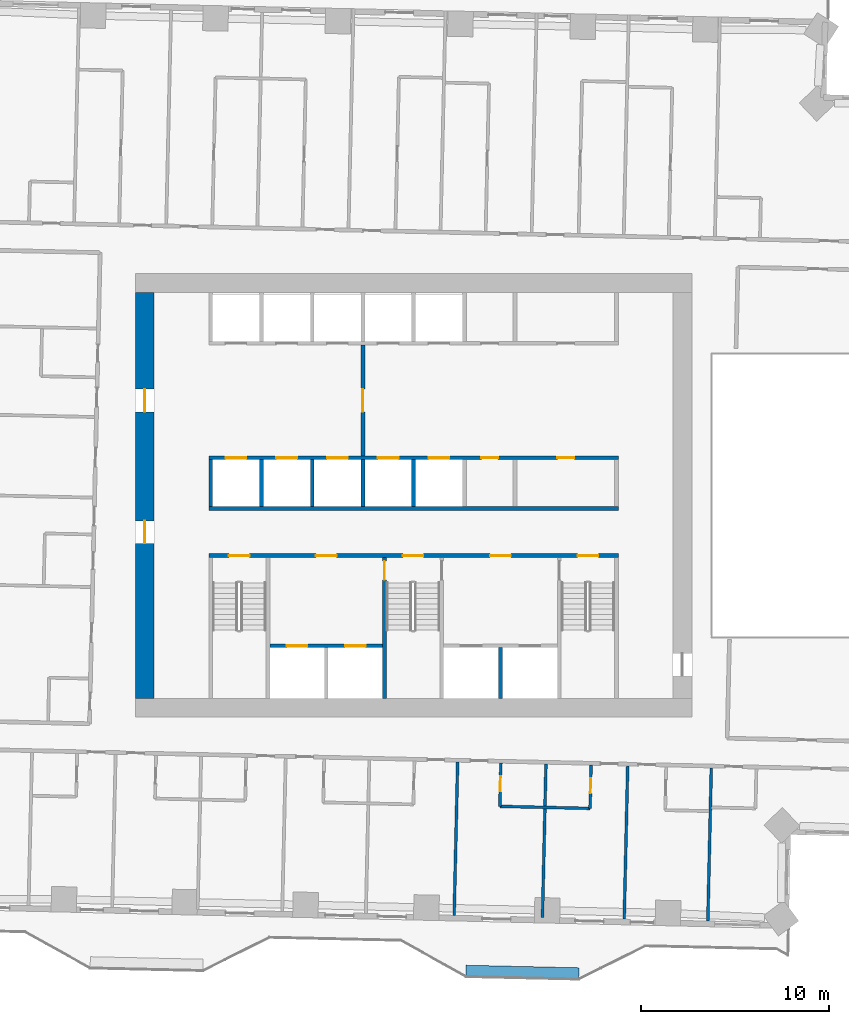
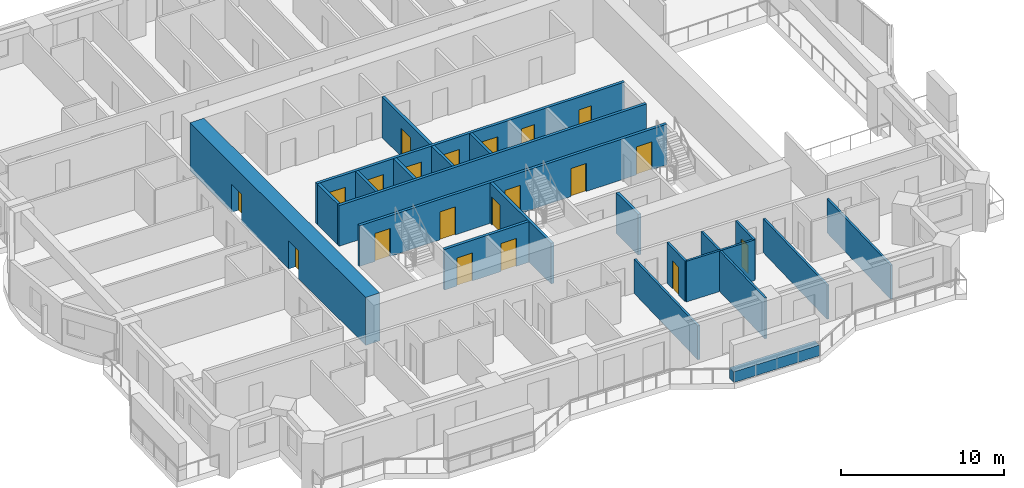
# One storey, part 8 of 16: 21 walls, 20 doors, 20 openings.
"""IFC4 building model written with IfcOpenShell, lengths in metres."""

from ifc_helpers import new_model, si_unit, direction, frame, frame_2d, origin, place, context, subcontext, project, spatial, rectangle, extrude, material, layer, layer_set, type_object, element, fill, save


model = new_model("IFC4")

# Units and contexts
model_context = context("Model", 3, precision=1e-05, world=origin(), true_north=direction((0.0, 1.0)))
body_context = subcontext(model_context, "Body", "Model", "MODEL_VIEW")
ifc_project = project(units=[si_unit("LENGTHUNIT", "METRE"), si_unit("AREAUNIT", "SQUARE_METRE"), si_unit("VOLUMEUNIT", "CUBIC_METRE"), si_unit("PLANEANGLEUNIT", "RADIAN"), si_unit("MASSUNIT", "GRAM", prefix="KILO")], contexts=[model_context])

# Site, building, storey
site_placement = place(None, origin())
site = spatial("IfcSite", under=ifc_project, at=site_placement, CompositionType="ELEMENT")
building_placement = place(site_placement, origin())
building = spatial("IfcBuilding", under=site, at=building_placement, Name="Mangrove Gate Tower", CompositionType="ELEMENT")
storey_placement = place(building_placement, frame((0.0, 0.0, 112.699951171875)))
storey = spatial("IfcBuildingStorey", under=building, at=storey_placement, Name="L28", CompositionType="ELEMENT", Elevation=112.699951171875)

# Wall, opening, door
ifc_material_1 = material(Name="Concrete C32/40", Category="concrete")
ifc_layer_1 = layer(ifc_material_1, 0.199951171875)
ifc_layer_set_1 = layer_set([ifc_layer_1], Name="Core lobby wall 200 C32/40")
wall_type_1 = type_object("IfcWallType", Name="Core lobby wall 200 C32/40", PredefinedType="STANDARD", material=ifc_layer_set_1)
wall_1_placement = place(storey_placement, frame((-2.699951171875, 2.10009765625, 0.0), z_axis=(0.0, 0.0, 1.0), x_axis=(0.0, 1.0, 0.0)))
wall_1 = element("IfcWall", 1, at=wall_1_placement, inside=storey, type_object=wall_type_1, Name="WALL-L28-CORE-35", PredefinedType="STANDARD", context=body_context, shape_type="SweptSolid", body=[
    extrude(rectangle(XDim=5.89990234375, YDim=0.199951171875, at=frame_2d((2.949951171875, 0.0))), origin(), (0.0, 0.0, 1.0), 3.050048828125),
])
opening_1_placement = place(wall_1_placement, frame((2.35009765625, 0.0, 0.0)))
opening_1 = element("IfcOpeningElement", 2, at=opening_1_placement, cuts=wall_1, Name="Opening FL12", PredefinedType="OPENING", context=body_context, shape_type="SweptSolid", body=[
    extrude(rectangle(XDim=1.199951171875, YDim=2.10009765625, at=frame_2d((0.60009765625, 1.050048828125))), frame((0.0, 0.10986328125, 0.0), z_axis=(0.0, -1.0, 0.0), x_axis=(1.0, 0.0, 0.0)), (0.0, 0.0, 1.0), 0.219970703125),
])
ifc_material_2 = material(Name="Fire-rated steel door set", Category="steel")
door_type_1 = type_object("IfcDoorType", Name="Lobby door FD60 1200x2100", OperationType="SINGLE_SWING_LEFT", PredefinedType="DOOR", material=ifc_material_2)
door_1_placement = place(opening_1_placement, origin())
door_1 = element("IfcDoor", 3, at=door_1_placement, inside=storey, type_object=door_type_1, Name="Lobby door lift lobby partition", OperationType="SINGLE_SWING_LEFT", OverallHeight=2.10009765625, OverallWidth=1.199951171875, PredefinedType="DOOR", context=body_context, shape_type="SweptSolid", body=[
    extrude(rectangle(XDim=1.199951171875, YDim=2.10009765625, at=frame_2d((0.60009765625, 1.050048828125))), frame((0.0, 0.02490234375, 0.0), z_axis=(0.0, -1.0, 0.0), x_axis=(1.0, 0.0, 0.0)), (0.0, 0.0, 1.0), 0.050048828125),
])
fill(opening_1, door_1)

# Wall
ifc_material_3 = material(Name="Concrete C70/85", Category="concrete")
ifc_layer_2 = layer(ifc_material_3, 0.199951171875)
ifc_layer_set_2 = layer_set([ifc_layer_2], Name="Core shaft wall 200 C70/85")
wall_type_2 = type_object("IfcWallType", Name="Core shaft wall 200 C70/85", PredefinedType="SHEAR", material=ifc_layer_set_2)
wall_2_placement = place(storey_placement, frame((-10.89990234375, -0.699951171875, 0.0), z_axis=(0.0, 0.0, 1.0), x_axis=(1.0, 0.0, 0.0)))
element("IfcWall", 4, at=wall_2_placement, inside=storey, type_object=wall_type_2, Name="WALL-L28-CORE-6", PredefinedType="SHEAR", context=body_context, shape_type="SweptSolid", body=[
    extrude(rectangle(XDim=21.7998046875, YDim=0.199951171875, at=frame_2d((10.89990234375, 0.0))), origin(), (0.0, 0.0, 1.0), 3.050048828125),
])

# Wall, openings, doors
wall_3_placement = place(storey_placement, frame((-10.89990234375, 2.0, 0.0), z_axis=(0.0, 0.0, 1.0), x_axis=(1.0, 0.0, 0.0)))
wall_3 = element("IfcWall", 5, at=wall_3_placement, inside=storey, type_object=wall_type_2, Name="WALL-L28-CORE-7", PredefinedType="SHEAR", context=body_context, shape_type="SweptSolid", body=[
    extrude(rectangle(XDim=21.7998046875, YDim=0.199951171875, at=frame_2d((10.89990234375, 0.0))), origin(), (0.0, 0.0, 1.0), 3.050048828125),
])
opening_2_placement = place(wall_3_placement, frame((0.89990234375, 0.0, 0.0)))
opening_2 = element("IfcOpeningElement", 6, at=opening_2_placement, cuts=wall_3, Name="Opening LD", PredefinedType="OPENING", context=body_context, shape_type="SweptSolid", body=[
    extrude(rectangle(XDim=1.10009765625, YDim=2.10009765625, at=frame_2d((0.550048828125, 1.050048828125))), frame((0.0, 0.10986328125, 0.0), z_axis=(0.0, -1.0, 0.0), x_axis=(1.0, 0.0, 0.0)), (0.0, 0.0, 1.0), 0.219970703125),
])
opening_3_placement = place(wall_3_placement, frame((3.60009765625, 0.0, 0.0)))
opening_3 = element("IfcOpeningElement", 7, at=opening_3_placement, cuts=wall_3, Name="Opening LD", PredefinedType="OPENING", context=body_context, shape_type="SweptSolid", body=[
    extrude(rectangle(XDim=1.10009765625, YDim=2.10009765625, at=frame_2d((0.550048828125, 1.050048828125))), frame((0.0, 0.10986328125, 0.0), z_axis=(0.0, -1.0, 0.0), x_axis=(1.0, 0.0, 0.0)), (0.0, 0.0, 1.0), 0.219970703125),
])
opening_4_placement = place(wall_3_placement, frame((6.300048828125, 0.0, 0.0)))
opening_4 = element("IfcOpeningElement", 8, at=opening_4_placement, cuts=wall_3, Name="Opening LD", PredefinedType="OPENING", context=body_context, shape_type="SweptSolid", body=[
    extrude(rectangle(XDim=1.10009765625, YDim=2.10009765625, at=frame_2d((0.550048828125, 1.050048828125))), frame((0.0, 0.10986328125, 0.0), z_axis=(0.0, -1.0, 0.0), x_axis=(1.0, 0.0, 0.0)), (0.0, 0.0, 1.0), 0.219970703125),
])
opening_5_placement = place(wall_3_placement, frame((9.0, 0.0, 0.0)))
opening_5 = element("IfcOpeningElement", 9, at=opening_5_placement, cuts=wall_3, Name="Opening LD", PredefinedType="OPENING", context=body_context, shape_type="SweptSolid", body=[
    extrude(rectangle(XDim=1.10009765625, YDim=2.10009765625, at=frame_2d((0.550048828125, 1.050048828125))), frame((0.0, 0.10986328125, 0.0), z_axis=(0.0, -1.0, 0.0), x_axis=(1.0, 0.0, 0.0)), (0.0, 0.0, 1.0), 0.219970703125),
])
opening_6_placement = place(wall_3_placement, frame((11.699951171875, 0.0, 0.0)))
opening_6 = element("IfcOpeningElement", 10, at=opening_6_placement, cuts=wall_3, Name="Opening LD", PredefinedType="OPENING", context=body_context, shape_type="SweptSolid", body=[
    extrude(rectangle(XDim=1.10009765625, YDim=2.10009765625, at=frame_2d((0.550048828125, 1.050048828125))), frame((0.0, 0.10986328125, 0.0), z_axis=(0.0, -1.0, 0.0), x_axis=(1.0, 0.0, 0.0)), (0.0, 0.0, 1.0), 0.219970703125),
])
opening_7_placement = place(wall_3_placement, frame((14.5, 0.0, 0.0)))
opening_7 = element("IfcOpeningElement", 11, at=opening_7_placement, cuts=wall_3, Name="Opening RD", PredefinedType="OPENING", context=body_context, shape_type="SweptSolid", body=[
    extrude(rectangle(XDim=0.89990234375, YDim=2.10009765625, at=frame_2d((0.449951171875, 1.050048828125))), frame((0.0, 0.10986328125, 0.0), z_axis=(0.0, -1.0, 0.0), x_axis=(1.0, 0.0, 0.0)), (0.0, 0.0, 1.0), 0.219970703125),
])
opening_8_placement = place(wall_3_placement, frame((18.550048828125, 0.0, 0.0)))
opening_8 = element("IfcOpeningElement", 12, at=opening_8_placement, cuts=wall_3, Name="Opening KD", PredefinedType="OPENING", context=body_context, shape_type="SweptSolid", body=[
    extrude(rectangle(XDim=0.89990234375, YDim=2.10009765625, at=frame_2d((0.449951171875, 1.050048828125))), frame((0.0, 0.10986328125, 0.0), z_axis=(0.0, -1.0, 0.0), x_axis=(1.0, 0.0, 0.0)), (0.0, 0.0, 1.0), 0.219970703125),
])
ifc_material_4 = material(Name="Fire-rated steel door set", Category="steel")
door_type_2 = type_object("IfcDoorType", Name="Core room door FD30S 900x2100", OperationType="SINGLE_SWING_RIGHT", PredefinedType="DOOR", material=ifc_material_4)
door_2_placement = place(opening_8_placement, origin())
door_2 = element("IfcDoor", 13, at=door_2_placement, inside=storey, type_object=door_type_2, Name="Core room door Core WC", OperationType="SINGLE_SWING_RIGHT", OverallHeight=2.10009765625, OverallWidth=0.89990234375, PredefinedType="DOOR", context=body_context, shape_type="SweptSolid", body=[
    extrude(rectangle(XDim=0.89990234375, YDim=2.10009765625, at=frame_2d((0.449951171875, 1.050048828125))), frame((0.0, 0.02490234375, 0.0), z_axis=(0.0, -1.0, 0.0), x_axis=(1.0, 0.0, 0.0)), (0.0, 0.0, 1.0), 0.050048828125),
])
fill(opening_8, door_2)
ifc_material_5 = material(Name="Stainless steel 316", Category="steel")
door_type_3 = type_object("IfcDoorType", Name="Lift landing door 1100x2100", OperationType="SLIDING_TO_LEFT", PredefinedType="DOOR", material=ifc_material_5)
door_3_placement = place(opening_2_placement, origin())
door_3 = element("IfcDoor", 14, at=door_3_placement, inside=storey, type_object=door_type_3, Name="Landing door LD P01", OperationType="SLIDING_TO_LEFT", OverallHeight=2.10009765625, OverallWidth=1.10009765625, PredefinedType="DOOR", context=body_context, shape_type="SweptSolid", body=[
    extrude(rectangle(XDim=1.10009765625, YDim=2.10009765625, at=frame_2d((0.550048828125, 1.050048828125))), frame((0.0, 0.02490234375, 0.0), z_axis=(0.0, -1.0, 0.0), x_axis=(1.0, 0.0, 0.0)), (0.0, 0.0, 1.0), 0.050048828125),
])
fill(opening_2, door_3)
door_4_placement = place(opening_3_placement, origin())
door_4 = element("IfcDoor", 15, at=door_4_placement, inside=storey, type_object=door_type_3, Name="Landing door LD P02", OperationType="SLIDING_TO_LEFT", OverallHeight=2.10009765625, OverallWidth=1.10009765625, PredefinedType="DOOR", context=body_context, shape_type="SweptSolid", body=[
    extrude(rectangle(XDim=1.10009765625, YDim=2.10009765625, at=frame_2d((0.550048828125, 1.050048828125))), frame((0.0, 0.02490234375, 0.0), z_axis=(0.0, -1.0, 0.0), x_axis=(1.0, 0.0, 0.0)), (0.0, 0.0, 1.0), 0.050048828125),
])
fill(opening_3, door_4)
door_5_placement = place(opening_4_placement, origin())
door_5 = element("IfcDoor", 16, at=door_5_placement, inside=storey, type_object=door_type_3, Name="Landing door LD P03", OperationType="SLIDING_TO_LEFT", OverallHeight=2.10009765625, OverallWidth=1.10009765625, PredefinedType="DOOR", context=body_context, shape_type="SweptSolid", body=[
    extrude(rectangle(XDim=1.10009765625, YDim=2.10009765625, at=frame_2d((0.550048828125, 1.050048828125))), frame((0.0, 0.02490234375, 0.0), z_axis=(0.0, -1.0, 0.0), x_axis=(1.0, 0.0, 0.0)), (0.0, 0.0, 1.0), 0.050048828125),
])
fill(opening_4, door_5)
door_6_placement = place(opening_5_placement, origin())
door_6 = element("IfcDoor", 17, at=door_6_placement, inside=storey, type_object=door_type_3, Name="Landing door LD P04", OperationType="SLIDING_TO_LEFT", OverallHeight=2.10009765625, OverallWidth=1.10009765625, PredefinedType="DOOR", context=body_context, shape_type="SweptSolid", body=[
    extrude(rectangle(XDim=1.10009765625, YDim=2.10009765625, at=frame_2d((0.550048828125, 1.050048828125))), frame((0.0, 0.02490234375, 0.0), z_axis=(0.0, -1.0, 0.0), x_axis=(1.0, 0.0, 0.0)), (0.0, 0.0, 1.0), 0.050048828125),
])
fill(opening_5, door_6)
door_7_placement = place(opening_6_placement, origin())
door_7 = element("IfcDoor", 18, at=door_7_placement, inside=storey, type_object=door_type_3, Name="Landing door LD P05", OperationType="SLIDING_TO_LEFT", OverallHeight=2.10009765625, OverallWidth=1.10009765625, PredefinedType="DOOR", context=body_context, shape_type="SweptSolid", body=[
    extrude(rectangle(XDim=1.10009765625, YDim=2.10009765625, at=frame_2d((0.550048828125, 1.050048828125))), frame((0.0, 0.02490234375, 0.0), z_axis=(0.0, -1.0, 0.0), x_axis=(1.0, 0.0, 0.0)), (0.0, 0.0, 1.0), 0.050048828125),
])
fill(opening_6, door_7)
ifc_material_6 = material(Name="Fire-rated steel door set", Category="steel")
door_type_4 = type_object("IfcDoorType", Name="Riser door FD30S 900x2100", OperationType="SINGLE_SWING_LEFT", PredefinedType="DOOR", material=ifc_material_6)
door_8_placement = place(opening_7_placement, origin())
door_8 = element("IfcDoor", 19, at=door_8_placement, inside=storey, type_object=door_type_4, Name="Riser door Comms room", OperationType="SINGLE_SWING_LEFT", OverallHeight=2.10009765625, OverallWidth=0.89990234375, PredefinedType="DOOR", context=body_context, shape_type="SweptSolid", body=[
    extrude(rectangle(XDim=0.89990234375, YDim=2.10009765625, at=frame_2d((0.449951171875, 1.050048828125))), frame((0.0, 0.02490234375, 0.0), z_axis=(0.0, -1.0, 0.0), x_axis=(1.0, 0.0, 0.0)), (0.0, 0.0, 1.0), 0.050048828125),
])
fill(opening_7, door_8)

wall_4_placement = place(storey_placement, frame((-7.64990234375, -8.0, 0.0), z_axis=(0.0, 0.0, 1.0), x_axis=(1.0, 0.0, 0.0)))
wall_4 = element("IfcWall", 20, at=wall_4_placement, inside=storey, type_object=wall_type_2, Name="WALL-L28-CORE-15", PredefinedType="SHEAR", context=body_context, shape_type="SweptSolid", body=[
    extrude(rectangle(XDim=6.0, YDim=0.199951171875, at=frame_2d((3.0, 0.0))), origin(), (0.0, 0.0, 1.0), 3.050048828125),
])
opening_9_placement = place(wall_4_placement, frame((0.89990234375, 0.0, 0.0)))
opening_9 = element("IfcOpeningElement", 21, at=opening_9_placement, cuts=wall_4, Name="Opening LD", PredefinedType="OPENING", context=body_context, shape_type="SweptSolid", body=[
    extrude(rectangle(XDim=1.10009765625, YDim=2.10009765625, at=frame_2d((0.550048828125, 1.050048828125))), frame((0.0, 0.10986328125, 0.0), z_axis=(0.0, -1.0, 0.0), x_axis=(1.0, 0.0, 0.0)), (0.0, 0.0, 1.0), 0.219970703125),
])
opening_10_placement = place(wall_4_placement, frame((4.0, 0.0, 0.0)))
opening_10 = element("IfcOpeningElement", 22, at=opening_10_placement, cuts=wall_4, Name="Opening LD", PredefinedType="OPENING", context=body_context, shape_type="SweptSolid", body=[
    extrude(rectangle(XDim=1.10009765625, YDim=2.10009765625, at=frame_2d((0.550048828125, 1.050048828125))), frame((0.0, 0.10986328125, 0.0), z_axis=(0.0, -1.0, 0.0), x_axis=(1.0, 0.0, 0.0)), (0.0, 0.0, 1.0), 0.219970703125),
])
door_9_placement = place(opening_9_placement, origin())
door_9 = element("IfcDoor", 23, at=door_9_placement, inside=storey, type_object=door_type_3, Name="Landing door LD SVL1", OperationType="SLIDING_TO_LEFT", OverallHeight=2.10009765625, OverallWidth=1.10009765625, PredefinedType="DOOR", context=body_context, shape_type="SweptSolid", body=[
    extrude(rectangle(XDim=1.10009765625, YDim=2.10009765625, at=frame_2d((0.550048828125, 1.050048828125))), frame((0.0, 0.02490234375, 0.0), z_axis=(0.0, -1.0, 0.0), x_axis=(1.0, 0.0, 0.0)), (0.0, 0.0, 1.0), 0.050048828125),
])
fill(opening_9, door_9)
door_10_placement = place(opening_10_placement, origin())
door_10 = element("IfcDoor", 24, at=door_10_placement, inside=storey, type_object=door_type_3, Name="Landing door LD SVL2", OperationType="SLIDING_TO_LEFT", OverallHeight=2.10009765625, OverallWidth=1.10009765625, PredefinedType="DOOR", context=body_context, shape_type="SweptSolid", body=[
    extrude(rectangle(XDim=1.10009765625, YDim=2.10009765625, at=frame_2d((0.550048828125, 1.050048828125))), frame((0.0, 0.02490234375, 0.0), z_axis=(0.0, -1.0, 0.0), x_axis=(1.0, 0.0, 0.0)), (0.0, 0.0, 1.0), 0.050048828125),
])
fill(opening_10, door_10)

# Walls
wall_5_placement = place(storey_placement, frame((4.625, -10.800048828125, 0.0), z_axis=(0.0, 0.0, 1.0), x_axis=(0.0, 1.0, 0.0)))
element("IfcWall", 25, at=wall_5_placement, inside=storey, type_object=wall_type_2, Name="WALL-L28-CORE-18", PredefinedType="SHEAR", context=body_context, shape_type="SweptSolid", body=[
    extrude(rectangle(XDim=2.699951171875, YDim=0.199951171875, at=frame_2d((1.35009765625, 0.0))), origin(), (0.0, 0.0, 1.0), 3.050048828125),
])
for number, where, z_axis, x_axis, name in (
    (26, (-10.800048828125, -0.60009765625, 0.0), (0.0, 0.0, 1.0), (0.0, 1.0, 0.0), "WALL-L28-CORE-19"),
    (27, (-8.10009765625, -0.60009765625, 0.0), (0.0, 0.0, 1.0), (0.0, 1.0, 0.0), "WALL-L28-CORE-20"),
    (28, (-5.39990234375, -0.60009765625, 0.0), (0.0, 0.0, 1.0), (0.0, 1.0, 0.0), "WALL-L28-CORE-21"),
    (29, (-2.699951171875, -0.60009765625, 0.0), (0.0, 0.0, 1.0), (0.0, 1.0, 0.0), "WALL-L28-CORE-22"),
    (30, (0.0, -0.60009765625, 0.0), (0.0, 0.0, 1.0), (0.0, 1.0, 0.0), "WALL-L28-CORE-23"),
):
    element("IfcWall", number, at=place(storey_placement, frame(where, z_axis=z_axis, x_axis=x_axis)), inside=storey, type_object=wall_type_2, Name=name, PredefinedType="SHEAR", context=body_context, shape_type="SweptSolid", body=[
        extrude(rectangle(XDim=2.5, YDim=0.199951171875, at=frame_2d((1.25, 0.0))), origin(), (0.0, 0.0, 1.0), 3.050048828125),
    ])

# Wall, openings, doors
ifc_material_7 = material(Name="Concrete C70/85", Category="concrete")
ifc_layer_3 = layer(ifc_material_7, 0.199951171875)
ifc_layer_set_3 = layer_set([ifc_layer_3], Name="Core stair wall 200 C70/85")
wall_type_3 = type_object("IfcWallType", Name="Core stair wall 200 C70/85", PredefinedType="SHEAR", material=ifc_layer_set_3)
wall_6_placement = place(storey_placement, frame((-10.89990234375, -3.199951171875, 0.0), z_axis=(0.0, 0.0, 1.0), x_axis=(1.0, 0.0, 0.0)))
wall_6 = element("IfcWall", 31, at=wall_6_placement, inside=storey, type_object=wall_type_3, Name="WALL-L28-CORE-5", PredefinedType="SHEAR", context=body_context, shape_type="SweptSolid", body=[
    extrude(rectangle(XDim=21.7998046875, YDim=0.199951171875, at=frame_2d((10.89990234375, 0.0))), origin(), (0.0, 0.0, 1.0), 3.050048828125),
])
opening_11_placement = place(wall_6_placement, frame((1.074951171875, 0.0, 0.0)))
opening_11 = element("IfcOpeningElement", 32, at=opening_11_placement, cuts=wall_6, Name="Opening STD11", PredefinedType="OPENING", context=body_context, shape_type="SweptSolid", body=[
    extrude(rectangle(XDim=1.10009765625, YDim=2.10009765625, at=frame_2d((0.550048828125, 1.050048828125))), frame((0.0, 0.10986328125, 0.0), z_axis=(0.0, -1.0, 0.0), x_axis=(1.0, 0.0, 0.0)), (0.0, 0.0, 1.0), 0.219970703125),
])
opening_12_placement = place(wall_6_placement, frame((10.324951171875, 0.0, 0.0)))
opening_12 = element("IfcOpeningElement", 33, at=opening_12_placement, cuts=wall_6, Name="Opening STD11", PredefinedType="OPENING", context=body_context, shape_type="SweptSolid", body=[
    extrude(rectangle(XDim=1.10009765625, YDim=2.10009765625, at=frame_2d((0.550048828125, 1.050048828125))), frame((0.0, 0.10986328125, 0.0), z_axis=(0.0, -1.0, 0.0), x_axis=(1.0, 0.0, 0.0)), (0.0, 0.0, 1.0), 0.219970703125),
])
opening_13_placement = place(wall_6_placement, frame((19.625, 0.0, 0.0)))
opening_13 = element("IfcOpeningElement", 34, at=opening_13_placement, cuts=wall_6, Name="Opening STD11", PredefinedType="OPENING", context=body_context, shape_type="SweptSolid", body=[
    extrude(rectangle(XDim=1.10009765625, YDim=2.10009765625, at=frame_2d((0.550048828125, 1.050048828125))), frame((0.0, 0.10986328125, 0.0), z_axis=(0.0, -1.0, 0.0), x_axis=(1.0, 0.0, 0.0)), (0.0, 0.0, 1.0), 0.219970703125),
])
opening_14_placement = place(wall_6_placement, frame((5.699951171875, 0.0, 0.0)))
opening_14 = element("IfcOpeningElement", 35, at=opening_14_placement, cuts=wall_6, Name="Opening FL", PredefinedType="OPENING", context=body_context, shape_type="SweptSolid", body=[
    extrude(rectangle(XDim=1.10009765625, YDim=2.10009765625, at=frame_2d((0.550048828125, 1.050048828125))), frame((0.0, 0.10986328125, 0.0), z_axis=(0.0, -1.0, 0.0), x_axis=(1.0, 0.0, 0.0)), (0.0, 0.0, 1.0), 0.219970703125),
])
opening_15_placement = place(wall_6_placement, frame((14.97509765625, 0.0, 0.0)))
opening_15 = element("IfcOpeningElement", 36, at=opening_15_placement, cuts=wall_6, Name="Opening FL", PredefinedType="OPENING", context=body_context, shape_type="SweptSolid", body=[
    extrude(rectangle(XDim=1.10009765625, YDim=2.10009765625, at=frame_2d((0.550048828125, 1.050048828125))), frame((0.0, 0.10986328125, 0.0), z_axis=(0.0, -1.0, 0.0), x_axis=(1.0, 0.0, 0.0)), (0.0, 0.0, 1.0), 0.219970703125),
])
ifc_material_8 = material(Name="Fire-rated steel door set", Category="steel")
door_type_5 = type_object("IfcDoorType", Name="Lobby door FD60 1100x2100", OperationType="SINGLE_SWING_LEFT", PredefinedType="DOOR", material=ifc_material_8)
door_11_placement = place(opening_14_placement, origin())
door_11 = element("IfcDoor", 37, at=door_11_placement, inside=storey, type_object=door_type_5, Name="Lobby door service lobby", OperationType="SINGLE_SWING_LEFT", OverallHeight=2.10009765625, OverallWidth=1.10009765625, PredefinedType="DOOR", context=body_context, shape_type="SweptSolid", body=[
    extrude(rectangle(XDim=1.10009765625, YDim=2.10009765625, at=frame_2d((0.550048828125, 1.050048828125))), frame((0.0, 0.02490234375, 0.0), z_axis=(0.0, -1.0, 0.0), x_axis=(1.0, 0.0, 0.0)), (0.0, 0.0, 1.0), 0.050048828125),
])
fill(opening_14, door_11)
door_12_placement = place(opening_15_placement, origin())
door_12 = element("IfcDoor", 38, at=door_12_placement, inside=storey, type_object=door_type_5, Name="Lobby door fire-fighting lobby", OperationType="SINGLE_SWING_LEFT", OverallHeight=2.10009765625, OverallWidth=1.10009765625, PredefinedType="DOOR", context=body_context, shape_type="SweptSolid", body=[
    extrude(rectangle(XDim=1.10009765625, YDim=2.10009765625, at=frame_2d((0.550048828125, 1.050048828125))), frame((0.0, 0.02490234375, 0.0), z_axis=(0.0, -1.0, 0.0), x_axis=(1.0, 0.0, 0.0)), (0.0, 0.0, 1.0), 0.050048828125),
])
fill(opening_15, door_12)
ifc_material_9 = material(Name="Fire-rated steel door set", Category="steel")
door_type_6 = type_object("IfcDoorType", Name="Stair door FD60 1100x2100", OperationType="SINGLE_SWING_RIGHT", PredefinedType="DOOR", material=ifc_material_9)
door_13_placement = place(opening_11_placement, origin())
door_13 = element("IfcDoor", 39, at=door_13_placement, inside=storey, type_object=door_type_6, Name="Stair door Stair 1", OperationType="SINGLE_SWING_RIGHT", OverallHeight=2.10009765625, OverallWidth=1.10009765625, PredefinedType="DOOR", context=body_context, shape_type="SweptSolid", body=[
    extrude(rectangle(XDim=1.10009765625, YDim=2.10009765625, at=frame_2d((0.550048828125, 1.050048828125))), frame((0.0, 0.02490234375, 0.0), z_axis=(0.0, -1.0, 0.0), x_axis=(1.0, 0.0, 0.0)), (0.0, 0.0, 1.0), 0.050048828125),
])
fill(opening_11, door_13)
door_14_placement = place(opening_12_placement, origin())
door_14 = element("IfcDoor", 40, at=door_14_placement, inside=storey, type_object=door_type_6, Name="Stair door Stair 2", OperationType="SINGLE_SWING_RIGHT", OverallHeight=2.10009765625, OverallWidth=1.10009765625, PredefinedType="DOOR", context=body_context, shape_type="SweptSolid", body=[
    extrude(rectangle(XDim=1.10009765625, YDim=2.10009765625, at=frame_2d((0.550048828125, 1.050048828125))), frame((0.0, 0.02490234375, 0.0), z_axis=(0.0, -1.0, 0.0), x_axis=(1.0, 0.0, 0.0)), (0.0, 0.0, 1.0), 0.050048828125),
])
fill(opening_12, door_14)
door_15_placement = place(opening_13_placement, origin())
door_15 = element("IfcDoor", 41, at=door_15_placement, inside=storey, type_object=door_type_6, Name="Stair door Stair 3", OperationType="SINGLE_SWING_RIGHT", OverallHeight=2.10009765625, OverallWidth=1.10009765625, PredefinedType="DOOR", context=body_context, shape_type="SweptSolid", body=[
    extrude(rectangle(XDim=1.10009765625, YDim=2.10009765625, at=frame_2d((0.550048828125, 1.050048828125))), frame((0.0, 0.02490234375, 0.0), z_axis=(0.0, -1.0, 0.0), x_axis=(1.0, 0.0, 0.0)), (0.0, 0.0, 1.0), 0.050048828125),
])
fill(opening_13, door_15)

# Wall, opening, door
wall_7_placement = place(storey_placement, frame((-1.550048828125, -10.800048828125, 0.0), z_axis=(0.0, 0.0, 1.0), x_axis=(0.0, 1.0, 0.0)))
wall_7 = element("IfcWall", 42, at=wall_7_placement, inside=storey, type_object=wall_type_3, Name="WALL-L28-CORE-11", PredefinedType="SHEAR", context=body_context, shape_type="SweptSolid", body=[
    extrude(rectangle(XDim=7.5, YDim=0.199951171875, at=frame_2d((3.75, 0.0))), origin(), (0.0, 0.0, 1.0), 3.050048828125),
])
opening_16_placement = place(wall_7_placement, frame((6.300048828125, 0.0, 0.0)))
opening_16 = element("IfcOpeningElement", 43, at=opening_16_placement, cuts=wall_7, Name="Opening STD10", PredefinedType="OPENING", context=body_context, shape_type="SweptSolid", body=[
    extrude(rectangle(XDim=1.0, YDim=2.10009765625, at=frame_2d((0.5, 1.050048828125))), frame((0.0, 0.10986328125, 0.0), z_axis=(0.0, -1.0, 0.0), x_axis=(1.0, 0.0, 0.0)), (0.0, 0.0, 1.0), 0.219970703125),
])
ifc_material_10 = material(Name="Fire-rated steel door set", Category="steel")
door_type_7 = type_object("IfcDoorType", Name="Stair door FD60 1000x2100", OperationType="SINGLE_SWING_RIGHT", PredefinedType="DOOR", material=ifc_material_10)
door_16_placement = place(opening_16_placement, origin())
door_16 = element("IfcDoor", 44, at=door_16_placement, inside=storey, type_object=door_type_7, Name="Stair door Stair 2 from service lobby", OperationType="SINGLE_SWING_RIGHT", OverallHeight=2.10009765625, OverallWidth=1.0, PredefinedType="DOOR", context=body_context, shape_type="SweptSolid", body=[
    extrude(rectangle(XDim=1.0, YDim=2.10009765625, at=frame_2d((0.5, 1.050048828125))), frame((0.0, 0.02490234375, 0.0), z_axis=(0.0, -1.0, 0.0), x_axis=(1.0, 0.0, 0.0)), (0.0, 0.0, 1.0), 0.050048828125),
])
fill(opening_16, door_16)

# Wall, openings, doors
ifc_material_11 = material(Name="Concrete C70/85", Category="concrete")
ifc_layer_4 = layer(ifc_material_11, 1.0)
ifc_layer_set_4 = layer_set([ifc_layer_4], Name="Core wall 1000 C70/85")
wall_type_4 = type_object("IfcWallType", Name="Core wall 1000 C70/85", PredefinedType="SHEAR", material=ifc_layer_set_4)
wall_8_placement = place(storey_placement, frame((-14.300048828125, -10.800048828125, 0.0), z_axis=(0.0, 0.0, 1.0), x_axis=(0.0, 1.0, 0.0)))
wall_8 = element("IfcWall", 45, at=wall_8_placement, inside=storey, type_object=wall_type_4, Name="WALL-L28-CORE-3", PredefinedType="SHEAR", context=body_context, shape_type="SweptSolid", body=[
    extrude(rectangle(XDim=21.60009765625, YDim=1.0, at=frame_2d((10.800048828125, 0.0))), origin(), (0.0, 0.0, 1.0), 3.60009765625),
])
opening_17_placement = place(wall_8_placement, frame((8.25, 0.0, 0.0)))
opening_17 = element("IfcOpeningElement", 46, at=opening_17_placement, cuts=wall_8, Name="Opening CD", PredefinedType="OPENING", context=body_context, shape_type="SweptSolid", body=[
    extrude(rectangle(XDim=1.199951171875, YDim=2.10009765625, at=frame_2d((0.60009765625, 1.050048828125))), frame((0.0, 0.510009765625, 0.0), z_axis=(0.0, -1.0, 0.0), x_axis=(1.0, 0.0, 0.0)), (0.0, 0.0, 1.0), 1.02001953125),
])
opening_18_placement = place(wall_8_placement, frame((15.25, 0.0, 0.0)))
opening_18 = element("IfcOpeningElement", 47, at=opening_18_placement, cuts=wall_8, Name="Opening CD", PredefinedType="OPENING", context=body_context, shape_type="SweptSolid", body=[
    extrude(rectangle(XDim=1.199951171875, YDim=2.10009765625, at=frame_2d((0.60009765625, 1.050048828125))), frame((0.0, 0.510009765625, 0.0), z_axis=(0.0, -1.0, 0.0), x_axis=(1.0, 0.0, 0.0)), (0.0, 0.0, 1.0), 1.02001953125),
])
ifc_material_12 = material(Name="Fire-rated steel door set", Category="steel")
door_type_8 = type_object("IfcDoorType", Name="Core ring door FD60 1200x2100", OperationType="DOUBLE_DOOR_SINGLE_SWING", PredefinedType="DOOR", material=ifc_material_12)
door_17_placement = place(opening_17_placement, origin())
door_17 = element("IfcDoor", 48, at=door_17_placement, inside=storey, type_object=door_type_8, Name="Core ring door W1", OperationType="DOUBLE_DOOR_SINGLE_SWING", OverallHeight=2.10009765625, OverallWidth=1.199951171875, PredefinedType="DOOR", context=body_context, shape_type="SweptSolid", body=[
    extrude(rectangle(XDim=1.199951171875, YDim=2.10009765625, at=frame_2d((0.60009765625, 1.050048828125))), frame((0.0, 0.02490234375, 0.0), z_axis=(0.0, -1.0, 0.0), x_axis=(1.0, 0.0, 0.0)), (0.0, 0.0, 1.0), 0.050048828125),
])
fill(opening_17, door_17)
door_18_placement = place(opening_18_placement, origin())
door_18 = element("IfcDoor", 49, at=door_18_placement, inside=storey, type_object=door_type_8, Name="Core ring door W2", OperationType="DOUBLE_DOOR_SINGLE_SWING", OverallHeight=2.10009765625, OverallWidth=1.199951171875, PredefinedType="DOOR", context=body_context, shape_type="SweptSolid", body=[
    extrude(rectangle(XDim=1.199951171875, YDim=2.10009765625, at=frame_2d((0.60009765625, 1.050048828125))), frame((0.0, 0.02490234375, 0.0), z_axis=(0.0, -1.0, 0.0), x_axis=(1.0, 0.0, 0.0)), (0.0, 0.0, 1.0), 0.050048828125),
])
fill(opening_18, door_18)

# Walls
ifc_material_13 = material(Name="Gypsum board on steel stud, EI 60", Category="steel")
ifc_layer_5 = layer(ifc_material_13, 0.14990234375)
ifc_layer_set_5 = layer_set([ifc_layer_5], Name="Party wall 150 EI 60")
wall_type_5 = type_object("IfcWallType", Name="Party wall 150 EI 60", PredefinedType="PARTITIONING", material=ifc_layer_set_5)
wall_9_placement = place(storey_placement, frame((2.156982421875, -22.342041015625, 0.0), z_axis=(0.0, 0.0, 1.0), x_axis=(0.022706435224, 0.999742175663, 0.0)))
element("IfcWall", 50, at=wall_9_placement, inside=storey, type_object=wall_type_5, Name="WALL-L28-006", PredefinedType="PARTITIONING", context=body_context, shape_type="SweptSolid", body=[
    extrude(rectangle(XDim=8.150146484375, YDim=0.14990234375, at=frame_2d((4.0751953125, 0.0))), origin(), (0.0, 0.0, 1.0), 2.550048828125),
])
wall_10_placement = place(storey_placement, frame((6.85498046875, -22.447998046875, 0.0), z_axis=(0.0, 0.0, 1.0), x_axis=(0.022706435224, 0.999742175663, 0.0)))
element("IfcWall", 51, at=wall_10_placement, inside=storey, type_object=wall_type_5, Name="WALL-L28-007", PredefinedType="PARTITIONING", context=body_context, shape_type="SweptSolid", body=[
    extrude(rectangle(XDim=8.150146484375, YDim=0.14990234375, at=frame_2d((4.0751953125, 0.0))), origin(), (0.0, 0.0, 1.0), 3.050048828125),
])
wall_11_placement = place(storey_placement, frame((11.2041015625, -22.547119140625, 0.0), z_axis=(0.0, 0.0, 1.0), x_axis=(0.022675815822, 0.999742870631, 0.0)))
element("IfcWall", 52, at=wall_11_placement, inside=storey, type_object=wall_type_5, Name="WALL-L28-008", PredefinedType="PARTITIONING", context=body_context, shape_type="SweptSolid", body=[
    extrude(rectangle(XDim=8.150390625, YDim=0.14990234375, at=frame_2d((4.0751953125, 0.0))), origin(), (0.0, 0.0, 1.0), 2.550048828125),
])
wall_12_placement = place(storey_placement, frame((15.653076171875, -22.64794921875, 0.0), z_axis=(0.0, 0.0, 1.0), x_axis=(0.022676494918, 0.999742855227, 0.0)))
element("IfcWall", 53, at=wall_12_placement, inside=storey, type_object=wall_type_5, Name="WALL-L28-009", PredefinedType="PARTITIONING", context=body_context, shape_type="SweptSolid", body=[
    extrude(rectangle(XDim=8.150146484375, YDim=0.14990234375, at=frame_2d((4.0751953125, 0.0))), origin(), (0.0, 0.0, 1.0), 2.550048828125),
])
wall_13_placement = place(storey_placement, frame((4.5849609375, -16.544921875, 0.0), z_axis=(0.0, 0.0, 1.0), x_axis=(0.99974154664, -0.022734113616, 0.0)))
element("IfcWall", 54, at=wall_13_placement, inside=storey, type_object=wall_type_5, Name="WALL-L28-018", PredefinedType="PARTITIONING", context=body_context, shape_type="SweptSolid", body=[
    extrude(rectangle(XDim=4.80029296875, YDim=0.14990234375, at=frame_2d((2.400146484375, 0.0))), origin(), (0.0, 0.0, 1.0), 3.050048828125),
])

# Wall, opening, door
wall_14_placement = place(storey_placement, frame((4.589111328125, -16.544921875, 0.0), z_axis=(0.0, 0.0, 1.0), x_axis=(0.022615284993, 0.999744241736, 0.0)))
wall_14 = element("IfcWall", 55, at=wall_14_placement, inside=storey, type_object=wall_type_5, Name="WALL-L28-019", PredefinedType="PARTITIONING", context=body_context, shape_type="SweptSolid", body=[
    extrude(rectangle(XDim=2.29931640625, YDim=0.14990234375, at=frame_2d((1.149658203125, 0.0))), origin(), (0.0, 0.0, 1.0), 3.050048828125),
])
opening_19_placement = place(wall_14_placement, frame((0.800048828125, 0.0, 0.0)))
opening_19 = element("IfcOpeningElement", 56, at=opening_19_placement, cuts=wall_14, Name="Opening ED", PredefinedType="OPENING", context=body_context, shape_type="SweptSolid", body=[
    extrude(rectangle(XDim=0.800048828125, YDim=2.10009765625, at=frame_2d((0.39990234375, 1.050048828125))), frame((0.0, 0.0849609375, 0.0), z_axis=(0.0, -1.0, 0.0), x_axis=(1.0, 0.0, 0.0)), (0.0, 0.0, 1.0), 0.169921875),
])
ifc_material_14 = material(Name="Timber door leaf", Category="wood")
door_type_9 = type_object("IfcDoorType", Name="En-suite door 800", OperationType="SINGLE_SWING_LEFT", PredefinedType="DOOR", material=ifc_material_14)
door_19_placement = place(opening_19_placement, origin())
door_19 = element("IfcDoor", 57, at=door_19_placement, inside=storey, type_object=door_type_9, Name="DOOR-L28-ENS-c206", OperationType="SINGLE_SWING_RIGHT", OverallHeight=2.10009765625, OverallWidth=0.800048828125, PredefinedType="DOOR", context=body_context, shape_type="SweptSolid", body=[
    extrude(rectangle(XDim=0.800048828125, YDim=2.10009765625, at=frame_2d((0.39990234375, 1.050048828125))), frame((0.0, 0.02490234375, 0.0), z_axis=(0.0, -1.0, 0.0), x_axis=(1.0, 0.0, 0.0)), (0.0, 0.0, 1.0), 0.050048828125),
])
fill(opening_19, door_19)

wall_15_placement = place(storey_placement, frame((9.387939453125, -16.654052734375, 0.0), z_axis=(0.0, 0.0, 1.0), x_axis=(0.022612884682, 0.999744296031, 0.0)))
wall_15 = element("IfcWall", 58, at=wall_15_placement, inside=storey, type_object=wall_type_5, Name="WALL-L28-020", PredefinedType="PARTITIONING", context=body_context, shape_type="SweptSolid", body=[
    extrude(rectangle(XDim=2.299560546875, YDim=0.14990234375, at=frame_2d((1.14990234375, 0.0))), origin(), (0.0, 0.0, 1.0), 3.050048828125),
])
opening_20_placement = place(wall_15_placement, frame((0.800048828125, 0.0, 0.0)))
opening_20 = element("IfcOpeningElement", 59, at=opening_20_placement, cuts=wall_15, Name="Opening ED", PredefinedType="OPENING", context=body_context, shape_type="SweptSolid", body=[
    extrude(rectangle(XDim=0.800048828125, YDim=2.10009765625, at=frame_2d((0.39990234375, 1.050048828125))), frame((0.0, 0.0849609375, 0.0), z_axis=(0.0, -1.0, 0.0), x_axis=(1.0, 0.0, 0.0)), (0.0, 0.0, 1.0), 0.169921875),
])
door_20_placement = place(opening_20_placement, origin())
door_20 = element("IfcDoor", 60, at=door_20_placement, inside=storey, type_object=door_type_9, Name="DOOR-L28-ENS-c307", OperationType="SINGLE_SWING_LEFT", OverallHeight=2.10009765625, OverallWidth=0.800048828125, PredefinedType="DOOR", context=body_context, shape_type="SweptSolid", body=[
    extrude(rectangle(XDim=0.800048828125, YDim=2.10009765625, at=frame_2d((0.39990234375, 1.050048828125))), frame((0.0, 0.02490234375, 0.0), z_axis=(0.0, -1.0, 0.0), x_axis=(1.0, 0.0, 0.0)), (0.0, 0.0, 1.0), 0.050048828125),
])
fill(opening_20, door_20)

# Wall
ifc_material_15 = material(Name="Concrete C32/40", Category="concrete")
ifc_layer_6 = layer(ifc_material_15, 0.199951171875, Name="Planter trough wall")
ifc_material_16 = material(Name="Bituminous waterproofing membrane")
ifc_layer_7 = layer(ifc_material_16, 0.0048828125, Name="Waterproofing")
ifc_material_17 = material(Name="Drainage board and gravel")
ifc_layer_8 = layer(ifc_material_17, 0.044921875, Name="Drainage layer")
ifc_material_18 = material(Name="Planting soil")
ifc_layer_9 = layer(ifc_material_18, 0.300048828125, Name="Growing medium")
ifc_layer_set_6 = layer_set([ifc_layer_6, ifc_layer_7, ifc_layer_8, ifc_layer_9], Name="Planter wall 550 C32/40")
wall_type_6 = type_object("IfcWallType", Name="Planter wall 550 C32/40", PredefinedType="USERDEFINED", material=ifc_layer_set_6)
wall_16_placement = place(storey_placement, frame((2.7900390625, -25.27197265625, 0.0), z_axis=(0.0, 0.0, 1.0), x_axis=(0.999743178102, -0.022662255828, 0.0)))
element("IfcWall", 61, at=wall_16_placement, inside=storey, type_object=wall_type_6, Name="PLANTER L28 S1.1", ObjectType="PLANTER", PredefinedType="USERDEFINED", context=body_context, shape_type="SweptSolid", body=[
    extrude(rectangle(XDim=6.00048828125, YDim=0.550048828125, at=frame_2d((3.000244140625, 0.0))), origin(), (0.0, 0.0, 1.0), 0.800048828125),
])

save(model, "model.ifc")
